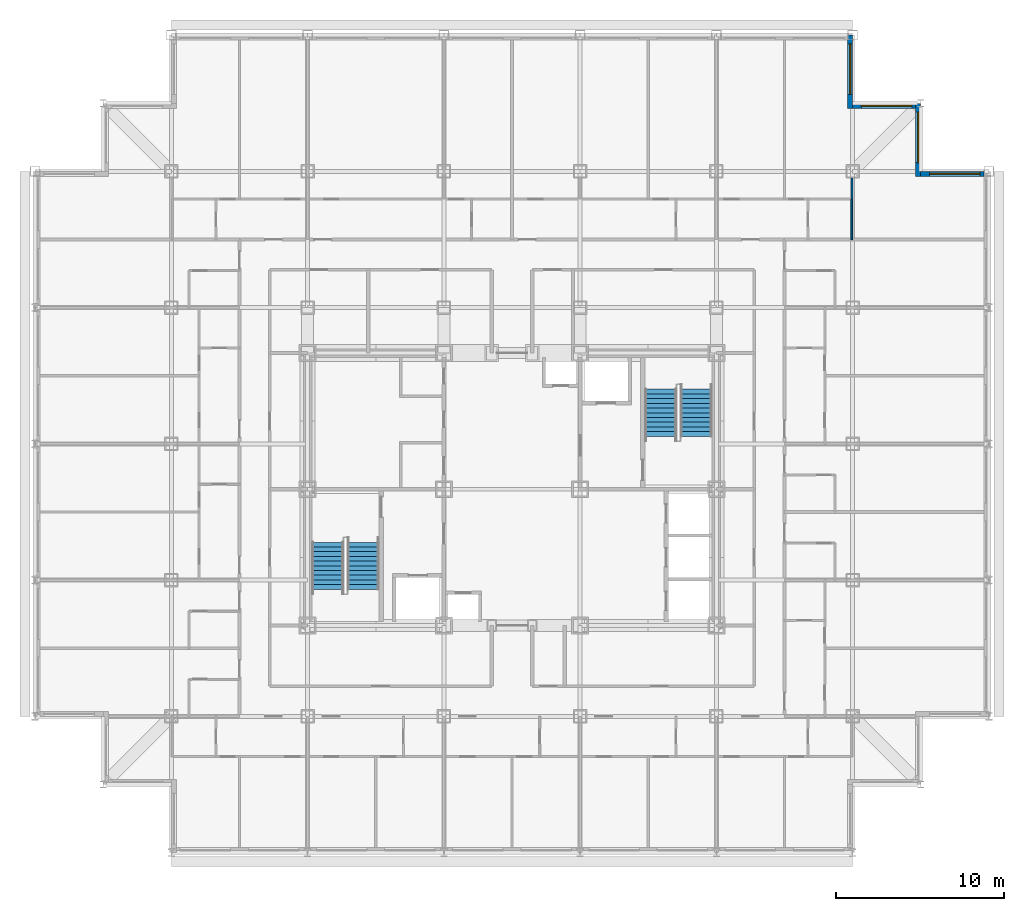
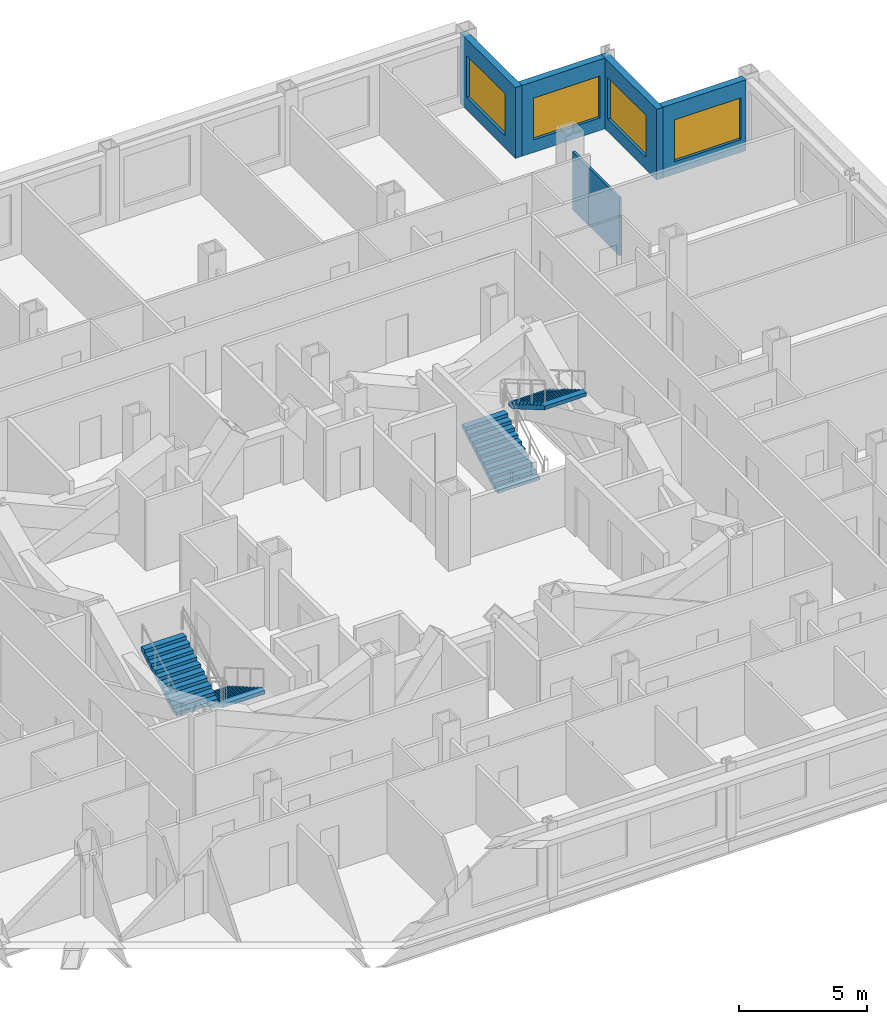
# One storey, part 11 of 12: 6 walls, 4 stair flights, 4 windows, 4 openings, 2 elements without a shape of their own.
"""IFC4 building model written with IfcOpenShell, lengths in metres."""

from ifc_helpers import new_model, si_unit, direction, frame, frame_2d, origin, place, context, subcontext, project, spatial, rectangle, extrude, polygons, source, transform, mapped, material, layer, layer_set, type_object, element, fill, aggregate, save


model = new_model("IFC4")

# Units and contexts
model_context = context("Model", 3, precision=1e-05, world=origin(), true_north=direction((0.0, 1.0)))
body_context = subcontext(model_context, "Body", "Model", "MODEL_VIEW")
ifc_project = project(units=[si_unit("LENGTHUNIT", "METRE"), si_unit("AREAUNIT", "SQUARE_METRE"), si_unit("VOLUMEUNIT", "CUBIC_METRE"), si_unit("PLANEANGLEUNIT", "RADIAN"), si_unit("MASSUNIT", "GRAM", prefix="KILO")], contexts=[model_context])

# Site, building, storey
site_placement = place(None, origin())
site = spatial("IfcSite", under=ifc_project, at=site_placement, CompositionType="ELEMENT")
building_placement = place(site_placement, origin())
building = spatial("IfcBuilding", under=site, at=building_placement, Name="Kopane Lantern Tower", CompositionType="ELEMENT")
storey_placement = place(building_placement, frame((0.0, 0.0, 184.800048828125)))
storey = spatial("IfcBuildingStorey", under=building, at=storey_placement, Name="L47", CompositionType="ELEMENT", Elevation=184.800048828125)

# Walls
ifc_material_1 = material(Name="Gypsum board on steel studs", Category="steel")
ifc_layer_1 = layer(ifc_material_1, 0.1201171875)
ifc_layer_set_1 = layer_set([ifc_layer_1], Name="APARTMENT INTERNAL WALL 120")
wall_type_1 = type_object("IfcWallType", Name="APARTMENT INTERNAL WALL 120", PredefinedType="PARTITIONING", material=ifc_layer_set_1)
wall_1_placement = place(storey_placement, frame((48.550048828125, 49.64990234375, 0.0), z_axis=(0.0, 0.0, 1.0), x_axis=(0.0, 1.0, 0.0)))
element("IfcWall", 1, at=wall_1_placement, inside=storey, type_object=wall_type_1, Name="Apartment Internal Wall 120 L47", PredefinedType="PARTITIONING", context=body_context, shape_type="SweptSolid", body=[
    extrude(rectangle(XDim=1.25, YDim=0.1201171875, at=frame_2d((0.625, 0.0))), origin(), (0.0, 0.0, 1.0), 2.77783203125),
])
ifc_material_2 = material(Name="Moisture-resistant board on steel studs", Category="steel")
ifc_layer_2 = layer(ifc_material_2, 0.10009765625)
ifc_layer_set_2 = layer_set([ifc_layer_2], Name="BATHROOM WALL 100")
wall_type_2 = type_object("IfcWallType", Name="BATHROOM WALL 100", PredefinedType="PARTITIONING", material=ifc_layer_set_2)
wall_2_placement = place(storey_placement, frame((48.550048828125, 47.25, 0.0), z_axis=(0.0, 0.0, 1.0), x_axis=(0.0, 1.0, 0.0)))
element("IfcWall", 2, at=wall_2_placement, inside=storey, type_object=wall_type_2, Name="Bathroom Wall 100 L47", PredefinedType="PARTITIONING", context=body_context, shape_type="SweptSolid", body=[
    extrude(rectangle(XDim=2.39990234375, YDim=0.10009765625, at=frame_2d((1.199951171875, 0.0))), origin(), (0.0, 0.0, 1.0), 2.77783203125),
])

# Wall, opening, window
ifc_material_3 = material(Name="Terracotta rainscreen on light steel framing", Category="masonry")
ifc_layer_3 = layer(ifc_material_3, 0.300048828125)
ifc_layer_set_3 = layer_set([ifc_layer_3], Name="EXTERNAL WALL EW1 300 TERRACOTTA")
wall_type_3 = type_object("IfcWallType", Name="EXTERNAL WALL EW1 300 TERRACOTTA", PredefinedType="SOLIDWALL", material=ifc_layer_set_3)
wall_3_placement = place(storey_placement, frame((56.39990234375, 51.14990234375, 0.0), z_axis=(0.0, 0.0, 1.0), x_axis=(-1.0, 0.0, 0.0)))
wall_3 = element("IfcWall", 3, at=wall_3_placement, inside=storey, type_object=wall_type_3, Name="External wall N L47", PredefinedType="SOLIDWALL", context=body_context, shape_type="SweptSolid", body=[
    extrude(rectangle(XDim=3.75, YDim=0.300048828125, at=frame_2d((1.875, 0.0))), origin(), (0.0, 0.0, 1.0), 3.389892578125),
])
opening_1_placement = place(wall_3_placement, frame((0.22509765625, 0.0, 0.60009765625)))
opening_1 = element("IfcOpeningElement", 4, at=opening_1_placement, cuts=wall_3, Name="Opening WR300200", PredefinedType="OPENING", context=body_context, shape_type="SweptSolid", body=[
    extrude(rectangle(XDim=3.0, YDim=2.0, at=frame_2d((1.5, 1.0))), frame((0.0, 0.159912109375, 0.0), z_axis=(0.0, -1.0, 0.0), x_axis=(1.0, 0.0, 0.0)), (0.0, 0.0, 1.0), 0.320068359375),
])
ifc_material_4 = material(Name="Aluminium and clear glass", Category="aluminium")
window_type = type_object("IfcWindowType", Name="RIBBON WINDOW WR300200 3000x2000", PartitioningType="SINGLE_PANEL", PredefinedType="WINDOW", material=ifc_material_4)
window_1_placement = place(opening_1_placement, origin())
window_1 = element("IfcWindow", 5, at=window_1_placement, inside=storey, type_object=window_type, Name="Window N L47", OverallHeight=2.0, OverallWidth=3.0, PartitioningType="SINGLE_PANEL", PredefinedType="WINDOW", context=body_context, shape_type="SweptSolid", body=[
    extrude(rectangle(XDim=3.0, YDim=2.0, at=frame_2d((1.5, 1.0))), frame((0.0, 0.030029296875, 0.0), z_axis=(0.0, -1.0, 0.0), x_axis=(1.0, 0.0, 0.0)), (0.0, 0.0, 1.0), 0.06005859375),
])
fill(opening_1, window_1)

wall_4_placement = place(storey_placement, frame((52.5, 51.0, 0.0), z_axis=(0.0, 0.0, 1.0), x_axis=(0.0, 1.0, 0.0)))
wall_4 = element("IfcWall", 6, at=wall_4_placement, inside=storey, type_object=wall_type_3, Name="External wall E L47", PredefinedType="SOLIDWALL", context=body_context, shape_type="SweptSolid", body=[
    extrude(rectangle(XDim=4.35009765625, YDim=0.300048828125, at=frame_2d((2.175048828125, 0.0))), origin(), (0.0, 0.0, 1.0), 3.389892578125),
])
opening_2_placement = place(wall_4_placement, frame((0.824951171875, 0.0, 0.60009765625)))
opening_2 = element("IfcOpeningElement", 7, at=opening_2_placement, cuts=wall_4, Name="Opening WR300200", PredefinedType="OPENING", context=body_context, shape_type="SweptSolid", body=[
    extrude(rectangle(XDim=3.0, YDim=2.0, at=frame_2d((1.5, 1.0))), frame((0.0, 0.159912109375, 0.0), z_axis=(0.0, -1.0, 0.0), x_axis=(1.0, 0.0, 0.0)), (0.0, 0.0, 1.0), 0.320068359375),
])
window_2_placement = place(opening_2_placement, origin())
window_2 = element("IfcWindow", 8, at=window_2_placement, inside=storey, type_object=window_type, Name="Window E L47", OverallHeight=2.0, OverallWidth=3.0, PartitioningType="SINGLE_PANEL", PredefinedType="WINDOW", context=body_context, shape_type="SweptSolid", body=[
    extrude(rectangle(XDim=3.0, YDim=2.0, at=frame_2d((1.5, 1.0))), frame((0.0, 0.030029296875, 0.0), z_axis=(0.0, -1.0, 0.0), x_axis=(1.0, 0.0, 0.0)), (0.0, 0.0, 1.0), 0.06005859375),
])
fill(opening_2, window_2)

wall_5_placement = place(storey_placement, frame((52.35009765625, 55.199951171875, 0.0), z_axis=(0.0, 0.0, 1.0), x_axis=(-1.0, 0.0, 0.0)))
wall_5 = element("IfcWall", 9, at=wall_5_placement, inside=storey, type_object=wall_type_3, Name="External wall N L47", PredefinedType="SOLIDWALL", context=body_context, shape_type="SweptSolid", body=[
    extrude(rectangle(XDim=3.75, YDim=0.300048828125, at=frame_2d((1.875, 0.0))), origin(), (0.0, 0.0, 1.0), 3.389892578125),
])
opening_3_placement = place(wall_5_placement, frame((0.22509765625, 0.0, 0.60009765625)))
opening_3 = element("IfcOpeningElement", 10, at=opening_3_placement, cuts=wall_5, Name="Opening WR300200", PredefinedType="OPENING", context=body_context, shape_type="SweptSolid", body=[
    extrude(rectangle(XDim=3.0, YDim=2.0, at=frame_2d((1.5, 1.0))), frame((0.0, 0.159912109375, 0.0), z_axis=(0.0, -1.0, 0.0), x_axis=(1.0, 0.0, 0.0)), (0.0, 0.0, 1.0), 0.320068359375),
])
window_3_placement = place(opening_3_placement, origin())
window_3 = element("IfcWindow", 11, at=window_3_placement, inside=storey, type_object=window_type, Name="Window N L47", OverallHeight=2.0, OverallWidth=3.0, PartitioningType="SINGLE_PANEL", PredefinedType="WINDOW", context=body_context, shape_type="SweptSolid", body=[
    extrude(rectangle(XDim=3.0, YDim=2.0, at=frame_2d((1.5, 1.0))), frame((0.0, 0.030029296875, 0.0), z_axis=(0.0, -1.0, 0.0), x_axis=(1.0, 0.0, 0.0)), (0.0, 0.0, 1.0), 0.06005859375),
])
fill(opening_3, window_3)

wall_6_placement = place(storey_placement, frame((48.449951171875, 55.050048828125, 0.0), z_axis=(0.0, 0.0, 1.0), x_axis=(0.0, 1.0, 0.0)))
wall_6 = element("IfcWall", 12, at=wall_6_placement, inside=storey, type_object=wall_type_3, Name="External wall E L47", PredefinedType="SOLIDWALL", context=body_context, shape_type="SweptSolid", body=[
    extrude(rectangle(XDim=4.349853515625, YDim=0.300048828125, at=frame_2d((2.1748046875, 0.0))), origin(), (0.0, 0.0, 1.0), 3.389892578125),
])
opening_4_placement = place(wall_6_placement, frame((0.824951171875, 0.0, 0.60009765625)))
opening_4 = element("IfcOpeningElement", 13, at=opening_4_placement, cuts=wall_6, Name="Opening WR300200", PredefinedType="OPENING", context=body_context, shape_type="SweptSolid", body=[
    extrude(rectangle(XDim=3.0, YDim=2.0, at=frame_2d((1.5, 1.0))), frame((0.0, 0.159912109375, 0.0), z_axis=(0.0, -1.0, 0.0), x_axis=(1.0, 0.0, 0.0)), (0.0, 0.0, 1.0), 0.320068359375),
])
window_4_placement = place(opening_4_placement, origin())
window_4 = element("IfcWindow", 14, at=window_4_placement, inside=storey, type_object=window_type, Name="Window E L47", OverallHeight=2.0, OverallWidth=3.0, PartitioningType="SINGLE_PANEL", PredefinedType="WINDOW", context=body_context, shape_type="SweptSolid", body=[
    extrude(rectangle(XDim=3.0, YDim=2.0, at=frame_2d((1.5, 1.0))), frame((0.0, 0.030029296875, 0.0), z_axis=(0.0, -1.0, 0.0), x_axis=(1.0, 0.0, 0.0)), (0.0, 0.0, 1.0), 0.06005859375),
])
fill(opening_4, window_4)

# Stair, stair flights
ifc_material_5 = material(Name="Steel S355JR", Category="steel")
stair_type = type_object("IfcStairType", Name="EXIT STAIR 1900 HALF TURN", PredefinedType="HALF_TURN_STAIR", material=ifc_material_5)
stair_1_placement = place(storey_placement, origin())
stair_1 = element("IfcStair", 15, at=stair_1_placement, inside=storey, type_object=stair_type, Name="Exit stair ST1 L47", PredefinedType="HALF_TURN_STAIR")
ifc_material_6 = material(Name="Steel S355JR", Category="steel")
stair_flight_type = type_object("IfcStairFlightType", Name="STAIR FLIGHT 1900 STEEL", PredefinedType="STRAIGHT", material=ifc_material_6)
shared_shape = source(origin(), body_context, "Body", "Tessellation", [
    polygons([(2.800048828, 0.949951172, 1.636474609), (2.520019531, 0.949951172, 1.636474609), (2.520019531, -0.949951172, 1.636474609), (2.800048828, -0.949951172, 1.636474609), (0.297119141, 0.949951172, 0.0), (2.800048828, 0.949951172, 1.462646484), (2.800048828, -0.949951172, 1.462646484), (0.297119141, -0.949951172, 0.0), (0.0, 0.949951172, 0.0), (0.0, -0.949951172, 0.0), (0.280029297, 0.949951172, 0.163574219), (0.0, 0.949951172, 0.163574219), (0.0, -0.949951172, 0.163574219), (0.280029297, -0.949951172, 0.163574219), (0.280029297, 0.949951172, 0.327392578), (0.280029297, -0.949951172, 0.327392578), (0.560058594, 0.949951172, 0.327392578), (0.560058594, -0.949951172, 0.327392578), (0.560058594, 0.949951172, 0.490966797), (0.560058594, -0.949951172, 0.490966797), (0.840087891, 0.949951172, 0.490966797), (0.840087891, -0.949951172, 0.490966797), (0.840087891, 0.949951172, 0.654541016), (0.840087891, -0.949951172, 0.654541016), (1.120117188, 0.949951172, 0.654541016), (1.120117188, -0.949951172, 0.654541016), (1.120117188, 0.949951172, 0.818115234), (1.120117188, -0.949951172, 0.818115234), (1.399902344, 0.949951172, 0.818115234), (1.399902344, -0.949951172, 0.818115234), (1.399902344, 0.949951172, 0.981933594), (1.399902344, -0.949951172, 0.981933594), (1.679931641, 0.949951172, 0.981933594), (1.679931641, -0.949951172, 0.981933594), (1.679931641, 0.949951172, 1.145507812), (1.679931641, -0.949951172, 1.145507812), (1.959960938, 0.949951172, 1.145507812), (1.959960938, -0.949951172, 1.145507812), (1.959960938, 0.949951172, 1.309082031), (1.959960938, -0.949951172, 1.309082031), (2.239990234, 0.949951172, 1.309082031), (2.239990234, -0.949951172, 1.309082031), (2.239990234, 0.949951172, 1.47265625), (2.239990234, -0.949951172, 1.47265625), (2.520019531, 0.949951172, 1.47265625), (2.520019531, -0.949951172, 1.47265625), (0.0, 0.0, 0.004420925), (0.0, 0.0, 0.00884185), (0.0, 0.0, 0.013262774), (0.0, 0.0, 0.017683699), (0.0, 0.0, 0.022104624), (0.0, 0.0, 0.026525549), (0.0, 0.0, 0.030946474), (0.0, 0.0, 0.035367399), (0.0, 0.0, 0.039788323), (0.0, 0.0, 0.044209248), (0.0, 0.0, 0.048630173), (0.0, 0.0, 0.053051098), (0.0, 0.0, 0.057472023), (0.0, 0.0, 0.061892948), (0.0, 0.0, 0.066313872), (0.0, 0.0, 0.070734797), (0.0, 0.0, 0.075155722), (0.0, 0.0, 0.079576647), (0.0, 0.0, 0.083997572), (0.0, 0.0, 0.088418497), (0.0, 0.0, 0.092839421), (0.0, 0.0, 0.097260346), (0.0, 0.0, 0.101681271), (0.0, 0.0, 0.106102196), (0.0, 0.0, 0.110523121), (0.0, 0.0, 0.114944046), (0.0, 0.0, 0.11936497), (0.0, 0.0, 0.123785895), (0.0, 0.0, 0.12820682), (0.0, 0.0, 0.132627745), (0.0, 0.0, 0.13704867), (0.0, 0.0, 0.141469595), (0.0, 0.0, 0.145890519), (0.0, 0.0, 0.150311444), (0.0, 0.0, 0.154732369), (0.0, 0.0, 0.159153294), (2.800048828, 0.0, 1.467344542), (2.800048828, 0.0, 1.472042599), (2.800048828, 0.0, 1.476740657), (2.800048828, 0.0, 1.481438714), (2.800048828, 0.0, 1.486136772), (2.800048828, 0.0, 1.490834829), (2.800048828, 0.0, 1.495532886), (2.800048828, 0.0, 1.500230944), (2.800048828, 0.0, 1.504929001), (2.800048828, 0.0, 1.509627059), (2.800048828, 0.0, 1.514325116), (2.800048828, 0.0, 1.519023174), (2.800048828, 0.0, 1.523721231), (2.800048828, 0.0, 1.528419288), (2.800048828, 0.0, 1.533117346), (2.800048828, 0.0, 1.537815403), (2.800048828, 0.0, 1.542513461), (2.800048828, 0.0, 1.547211518), (2.800048828, 0.0, 1.551909576), (2.800048828, 0.0, 1.556607633), (2.800048828, 0.0, 1.56130569), (2.800048828, 0.0, 1.566003748), (2.800048828, 0.0, 1.570701805), (2.800048828, 0.0, 1.575399863), (2.800048828, 0.0, 1.58009792), (2.800048828, 0.0, 1.584795978), (2.800048828, 0.0, 1.589494035), (2.800048828, 0.0, 1.594192092), (2.800048828, 0.0, 1.59889015), (2.800048828, 0.0, 1.603588207), (2.800048828, 0.0, 1.608286265), (2.800048828, 0.0, 1.612984322), (2.800048828, 0.0, 1.61768238), (2.800048828, 0.0, 1.622380437), (2.800048828, 0.0, 1.627078495), (2.800048828, 0.0, 1.631776552)], [[[1, 2, 3]], [[1, 3, 4]], [[5, 6, 7]], [[5, 7, 8]], [[9, 5, 8]], [[9, 8, 10]], [[11, 12, 13]], [[11, 13, 14]], [[15, 11, 14]], [[15, 14, 16]], [[17, 15, 16]], [[17, 16, 18]], [[19, 17, 18]], [[19, 18, 20]], [[21, 19, 20]], [[21, 20, 22]], [[23, 21, 22]], [[23, 22, 24]], [[25, 23, 24]], [[25, 24, 26]], [[27, 25, 26]], [[27, 26, 28]], [[29, 27, 28]], [[29, 28, 30]], [[31, 29, 30]], [[31, 30, 32]], [[33, 31, 32]], [[33, 32, 34]], [[35, 33, 34]], [[35, 34, 36]], [[37, 35, 36]], [[37, 36, 38]], [[39, 37, 38]], [[39, 38, 40]], [[41, 39, 40]], [[41, 40, 42]], [[43, 41, 42]], [[43, 42, 44]], [[45, 43, 44]], [[45, 44, 46]], [[2, 45, 46]], [[2, 46, 3]], [[45, 1, 6]], [[41, 45, 6]], [[2, 1, 45]], [[37, 41, 6]], [[43, 45, 41]], [[39, 41, 37]], [[35, 37, 33]], [[31, 33, 29]], [[27, 29, 25]], [[5, 21, 25]], [[17, 21, 5]], [[23, 25, 21]], [[11, 17, 5]], [[19, 21, 17]], [[9, 11, 5]], [[15, 17, 11]], [[12, 11, 9]], [[6, 5, 25]], [[6, 25, 29]], [[6, 29, 33]], [[6, 33, 37]], [[7, 4, 46]], [[7, 46, 42]], [[46, 4, 3]], [[7, 42, 38]], [[42, 46, 44]], [[38, 42, 40]], [[34, 38, 36]], [[30, 34, 32]], [[26, 30, 28]], [[26, 22, 8]], [[8, 22, 18]], [[22, 26, 24]], [[8, 18, 14]], [[18, 22, 20]], [[8, 14, 10]], [[14, 18, 16]], [[10, 14, 13]], [[26, 8, 7]], [[30, 26, 7]], [[34, 30, 7]], [[38, 34, 7]], [[10, 47, 9]], [[10, 48, 47]], [[9, 47, 48]], [[10, 49, 48]], [[9, 48, 49]], [[10, 50, 49]], [[9, 49, 50]], [[10, 51, 50]], [[9, 50, 51]], [[10, 52, 51]], [[9, 51, 52]], [[10, 53, 52]], [[9, 52, 53]], [[10, 54, 53]], [[9, 53, 54]], [[10, 55, 54]], [[9, 54, 55]], [[10, 56, 55]], [[9, 55, 56]], [[10, 57, 56]], [[9, 56, 57]], [[10, 58, 57]], [[9, 57, 58]], [[10, 59, 58]], [[9, 58, 59]], [[10, 60, 59]], [[9, 59, 60]], [[10, 61, 60]], [[9, 60, 61]], [[10, 62, 61]], [[9, 61, 62]], [[10, 63, 62]], [[9, 62, 63]], [[10, 64, 63]], [[9, 63, 64]], [[10, 65, 64]], [[9, 64, 65]], [[10, 66, 65]], [[9, 65, 66]], [[10, 67, 66]], [[9, 66, 67]], [[10, 68, 67]], [[9, 67, 68]], [[10, 69, 68]], [[9, 68, 69]], [[10, 70, 69]], [[9, 69, 70]], [[10, 71, 70]], [[9, 70, 71]], [[10, 72, 71]], [[9, 71, 72]], [[10, 73, 72]], [[9, 72, 73]], [[10, 74, 73]], [[9, 73, 74]], [[10, 75, 74]], [[9, 74, 75]], [[10, 76, 75]], [[9, 75, 76]], [[10, 77, 76]], [[9, 76, 77]], [[10, 78, 77]], [[9, 77, 78]], [[10, 79, 78]], [[9, 78, 79]], [[10, 80, 79]], [[9, 79, 80]], [[10, 81, 80]], [[9, 80, 81]], [[10, 82, 81]], [[9, 81, 82]], [[10, 13, 82]], [[82, 13, 12]], [[9, 82, 12]], [[7, 6, 83]], [[7, 83, 84]], [[6, 84, 83]], [[7, 84, 85]], [[6, 85, 84]], [[7, 85, 86]], [[6, 86, 85]], [[7, 86, 87]], [[6, 87, 86]], [[7, 87, 88]], [[6, 88, 87]], [[7, 88, 89]], [[6, 89, 88]], [[7, 89, 90]], [[6, 90, 89]], [[7, 90, 91]], [[6, 91, 90]], [[7, 91, 92]], [[6, 92, 91]], [[7, 92, 93]], [[6, 93, 92]], [[7, 93, 94]], [[6, 94, 93]], [[7, 94, 95]], [[6, 95, 94]], [[7, 95, 96]], [[6, 96, 95]], [[7, 96, 97]], [[6, 97, 96]], [[7, 97, 98]], [[6, 98, 97]], [[7, 98, 99]], [[6, 99, 98]], [[7, 99, 100]], [[6, 100, 99]], [[7, 100, 101]], [[6, 101, 100]], [[7, 101, 102]], [[6, 102, 101]], [[7, 102, 103]], [[6, 103, 102]], [[7, 103, 104]], [[6, 104, 103]], [[7, 104, 105]], [[6, 105, 104]], [[7, 105, 106]], [[6, 106, 105]], [[7, 106, 107]], [[6, 107, 106]], [[7, 107, 108]], [[6, 108, 107]], [[7, 108, 109]], [[6, 109, 108]], [[7, 109, 110]], [[6, 110, 109]], [[7, 110, 111]], [[6, 111, 110]], [[7, 111, 112]], [[6, 112, 111]], [[7, 112, 113]], [[6, 113, 112]], [[7, 113, 114]], [[6, 114, 113]], [[7, 114, 115]], [[6, 115, 114]], [[7, 115, 116]], [[6, 116, 115]], [[7, 116, 117]], [[6, 117, 116]], [[7, 117, 118]], [[6, 118, 117]], [[7, 118, 4]], [[118, 1, 4]], [[6, 1, 118]]], closed=True),
])
stair_flight_1_placement = place(storey_placement, frame((19.5, 29.25, 0.0), z_axis=(0.0, 0.0, 1.0), x_axis=(0.0, -1.0, 0.0)))
stair_flight_1 = element("IfcStairFlight", 16, at=stair_flight_1_placement, type_object=stair_flight_type, Name="ST1 flight 1", NumberOfRisers=11, NumberOfTreads=10, PredefinedType="STRAIGHT", RiserHeight=0.163636364, TreadLength=0.28, context=body_context, shape_type="MappedRepresentation", body=[
    mapped(shared_shape, transform((0.0, 0.0, 0.0))),
])
stair_flight_2_placement = place(storey_placement, frame((17.39990234375, 26.449951171875, 1.800048828125), z_axis=(0.0, 0.0, 1.0), x_axis=(0.0, 1.0, 0.0)))
stair_flight_2 = element("IfcStairFlight", 17, at=stair_flight_2_placement, type_object=stair_flight_type, Name="ST1 flight 2", NumberOfRisers=11, NumberOfTreads=10, PredefinedType="STRAIGHT", RiserHeight=0.163636364, TreadLength=0.28, context=body_context, shape_type="MappedRepresentation", body=[
    mapped(shared_shape, transform((0.0, 0.0, 0.0))),
])
aggregate(stair_1, [stair_flight_1, stair_flight_2])

stair_2_placement = place(storey_placement, origin())
stair_2 = element("IfcStair", 18, at=stair_2_placement, inside=storey, type_object=stair_type, Name="Exit stair ST2 L47", PredefinedType="HALF_TURN_STAIR")
stair_flight_3_placement = place(storey_placement, frame((37.199951171875, 35.550048828125, 0.0), z_axis=(0.0, 0.0, 1.0), x_axis=(0.0, 1.0, 0.0)))
stair_flight_3 = element("IfcStairFlight", 19, at=stair_flight_3_placement, type_object=stair_flight_type, Name="ST2 flight 1", NumberOfRisers=11, NumberOfTreads=10, PredefinedType="STRAIGHT", RiserHeight=0.163636364, TreadLength=0.28, context=body_context, shape_type="MappedRepresentation", body=[
    mapped(shared_shape, transform((0.0, 0.0, 0.0))),
])
stair_flight_4_placement = place(storey_placement, frame((39.300048828125, 38.35009765625, 1.800048828125), z_axis=(0.0, 0.0, 1.0), x_axis=(0.0, -1.0, 0.0)))
stair_flight_4 = element("IfcStairFlight", 20, at=stair_flight_4_placement, type_object=stair_flight_type, Name="ST2 flight 2", NumberOfRisers=11, NumberOfTreads=10, PredefinedType="STRAIGHT", RiserHeight=0.163636364, TreadLength=0.28, context=body_context, shape_type="MappedRepresentation", body=[
    mapped(shared_shape, transform((0.0, 0.0, 0.0))),
])
aggregate(stair_2, [stair_flight_3, stair_flight_4])

save(model, "model.ifc")
